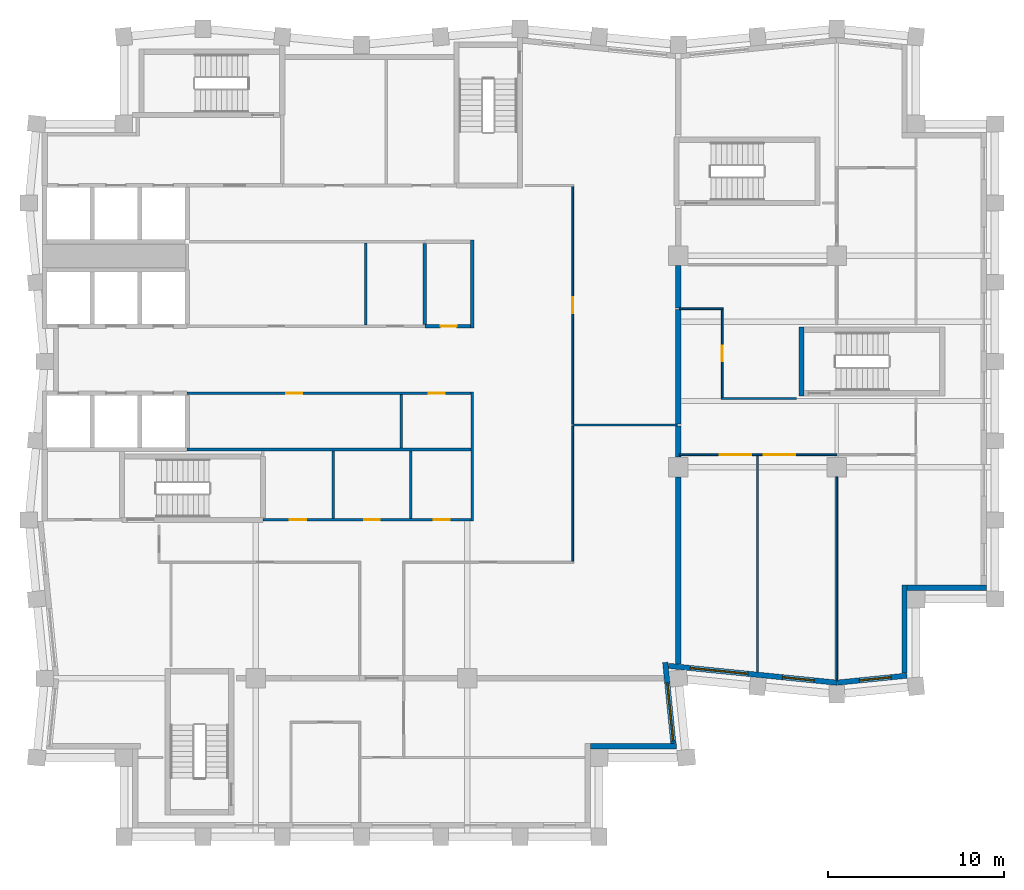
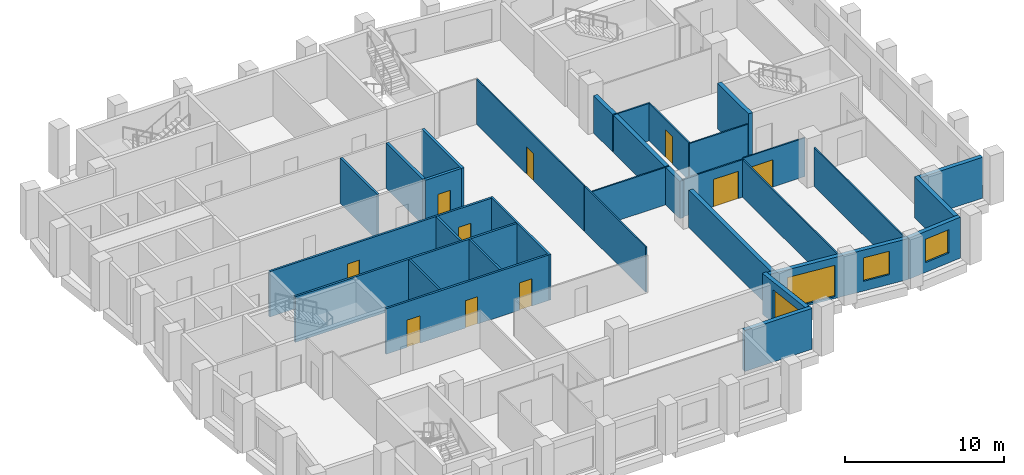
# One storey, part 4 of 8: 32 walls, 10 doors, 4 windows, 14 openings.
"""IFC4 building model written with IfcOpenShell, lengths in metres."""

from ifc_helpers import new_model, si_unit, direction, frame, frame_2d, origin, place, context, subcontext, project, spatial, rectangle, extrude, material, layer, layer_set, type_object, element, fill, save


model = new_model("IFC4")

# Units and contexts
model_context = context("Model", 3, precision=1e-05, world=origin(), true_north=direction((0.0, 1.0)))
body_context = subcontext(model_context, "Body", "Model", "MODEL_VIEW")
ifc_project = project(units=[si_unit("LENGTHUNIT", "METRE"), si_unit("AREAUNIT", "SQUARE_METRE"), si_unit("VOLUMEUNIT", "CUBIC_METRE"), si_unit("PLANEANGLEUNIT", "RADIAN"), si_unit("MASSUNIT", "GRAM", prefix="KILO")], contexts=[model_context])

# Site, building, storey
site_placement = place(None, origin())
site = spatial("IfcSite", under=ifc_project, at=site_placement, CompositionType="ELEMENT")
building_placement = place(site_placement, origin())
building = spatial("IfcBuilding", under=site, at=building_placement, Name="Brondeck Convention Tower", CompositionType="ELEMENT")
storey_placement = place(building_placement, frame((0.0, 0.0, 214.0)))
storey = spatial("IfcBuildingStorey", under=building, at=storey_placement, Name="L52", CompositionType="ELEMENT", Elevation=214.0)

# Walls
ifc_material_1 = material(Name="Concrete compartment wall C30/37", Category="concrete")
ifc_layer_1 = layer(ifc_material_1, 0.300048828125)
ifc_layer_set_1 = layer_set([ifc_layer_1], Name="Compartment wall 300")
wall_type_1 = type_object("IfcWallType", Name="Compartment wall 300", PredefinedType="PARTITIONING", material=ifc_layer_set_1)
wall_1_placement = place(storey_placement, frame((36.0, 27.823974609375, 0.0), z_axis=(0.0, 0.0, 1.0), x_axis=(0.0, 1.0, 0.0)))
element("IfcWall", 1, at=wall_1_placement, inside=storey, type_object=wall_type_1, Name="FLR-L52-W021", PredefinedType="PARTITIONING", context=body_context, shape_type="SweptSolid", body=[
    extrude(rectangle(XDim=10.62109375, YDim=0.300048828125, at=frame_2d((5.310546875, 0.0))), origin(), (0.0, 0.0, 1.0), 2.8798828125),
])
wall_2_placement = place(storey_placement, frame((36.0, 39.570068359375, 0.0), z_axis=(0.0, 0.0, 1.0), x_axis=(0.0, 1.0, 0.0)))
element("IfcWall", 2, at=wall_2_placement, inside=storey, type_object=wall_type_1, Name="FLR-L52-W035", PredefinedType="PARTITIONING", context=body_context, shape_type="SweptSolid", body=[
    extrude(rectangle(XDim=1.77197265625, YDim=0.300048828125, at=frame_2d((0.885986328125, 0.0))), origin(), (0.0, 0.0, 1.0), 2.8798828125),
])
wall_3_placement = place(storey_placement, frame((36.0, 41.44189453125, 0.0), z_axis=(0.0, 0.0, 1.0), x_axis=(0.0, 1.0, 0.0)))
element("IfcWall", 3, at=wall_3_placement, inside=storey, type_object=wall_type_1, Name="FLR-L52-W038", PredefinedType="PARTITIONING", context=body_context, shape_type="SweptSolid", body=[
    extrude(rectangle(XDim=6.508056640625, YDim=0.300048828125, at=frame_2d((3.25390625, 0.0))), origin(), (0.0, 0.0, 1.0), 2.8798828125),
])
wall_4_placement = place(storey_placement, frame((36.0, 48.050048828125, 0.0), z_axis=(0.0, 0.0, 1.0), x_axis=(0.0, 1.0, 0.0)))
element("IfcWall", 4, at=wall_4_placement, inside=storey, type_object=wall_type_1, Name="FLR-L52-W044", PredefinedType="PARTITIONING", context=body_context, shape_type="SweptSolid", body=[
    extrude(rectangle(XDim=2.39501953125, YDim=0.300048828125, at=frame_2d((1.197509765625, 0.0))), origin(), (0.0, 0.0, 1.0), 2.8798828125),
])

# Wall, openings, doors
ifc_material_2 = material(Name="Concrete C50/60", Category="concrete")
ifc_layer_2 = layer(ifc_material_2, 0.14990234375)
ifc_layer_set_2 = layer_set([ifc_layer_2], Name="Core beam-seat wall 150 Concrete C50/60")
wall_type_2 = type_object("IfcWallType", Name="Core beam-seat wall 150 Concrete C50/60", PredefinedType="SHEAR", material=ifc_layer_set_2)
wall_5_placement = place(storey_placement, frame((12.39990234375, 36.0, 0.0), z_axis=(0.0, 0.0, 1.0), x_axis=(1.0, 0.0, 0.0)))
wall_5 = element("IfcWall", 5, at=wall_5_placement, inside=storey, type_object=wall_type_2, Name="L52 core wall", PredefinedType="SHEAR", context=body_context, shape_type="SweptSolid", body=[
    extrude(rectangle(XDim=11.8251953125, YDim=0.14990234375, at=frame_2d((5.91259765625, 0.0))), origin(), (0.0, 0.0, 1.0), 3.5),
])
opening_1_placement = place(wall_5_placement, frame((1.52490234375, 0.0, 0.0)))
opening_1 = element("IfcOpeningElement", 6, at=opening_1_placement, cuts=wall_5, Name="Opening C29-03", PredefinedType="OPENING", context=body_context, shape_type="SweptSolid", body=[
    extrude(rectangle(XDim=0.949951171875, YDim=2.10009765625, at=frame_2d((0.47509765625, 1.050048828125))), frame((0.0, 0.0849609375, 0.0), z_axis=(0.0, -1.0, 0.0), x_axis=(1.0, 0.0, 0.0)), (0.0, 0.0, 1.0), 0.169921875),
])
opening_2_placement = place(wall_5_placement, frame((5.75, 0.0, 0.0)))
opening_2 = element("IfcOpeningElement", 7, at=opening_2_placement, cuts=wall_5, Name="Opening C29-04", PredefinedType="OPENING", context=body_context, shape_type="SweptSolid", body=[
    extrude(rectangle(XDim=0.89990234375, YDim=2.10009765625, at=frame_2d((0.449951171875, 1.050048828125))), frame((0.0, 0.0849609375, 0.0), z_axis=(0.0, -1.0, 0.0), x_axis=(1.0, 0.0, 0.0)), (0.0, 0.0, 1.0), 0.169921875),
])
opening_3_placement = place(wall_5_placement, frame((9.699951171875, 0.0, 0.0)))
opening_3 = element("IfcOpeningElement", 8, at=opening_3_placement, cuts=wall_5, Name="Opening C29-05", PredefinedType="OPENING", context=body_context, shape_type="SweptSolid", body=[
    extrude(rectangle(XDim=0.89990234375, YDim=2.10009765625, at=frame_2d((0.449951171875, 1.050048828125))), frame((0.0, 0.0849609375, 0.0), z_axis=(0.0, -1.0, 0.0), x_axis=(1.0, 0.0, 0.0)), (0.0, 0.0, 1.0), 0.169921875),
])
ifc_material_3 = material(Name="Steel fire door", Category="steel")
door_type_1 = type_object("IfcDoorType", Name="Room door 900x2100 EI 60", OperationType="NOTDEFINED", PredefinedType="DOOR", material=ifc_material_3)
door_1_placement = place(opening_2_placement, origin())
door_1 = element("IfcDoor", 9, at=door_1_placement, inside=storey, type_object=door_type_1, Name="L52 Room door FR-2", OperationType="SINGLE_SWING_LEFT", OverallHeight=2.10009765625, OverallWidth=0.89990234375, PredefinedType="DOOR", context=body_context, shape_type="SweptSolid", body=[
    extrude(rectangle(XDim=0.89990234375, YDim=2.10009765625, at=frame_2d((0.449951171875, 1.050048828125))), frame((0.0, 0.02490234375, 0.0), z_axis=(0.0, -1.0, 0.0), x_axis=(1.0, 0.0, 0.0)), (0.0, 0.0, 1.0), 0.050048828125),
])
fill(opening_2, door_1)
door_2_placement = place(opening_3_placement, origin())
door_2 = element("IfcDoor", 10, at=door_2_placement, inside=storey, type_object=door_type_1, Name="L52 Room door FR-3", OperationType="SINGLE_SWING_RIGHT", OverallHeight=2.10009765625, OverallWidth=0.89990234375, PredefinedType="DOOR", context=body_context, shape_type="SweptSolid", body=[
    extrude(rectangle(XDim=0.89990234375, YDim=2.10009765625, at=frame_2d((0.449951171875, 1.050048828125))), frame((0.0, 0.02490234375, 0.0), z_axis=(0.0, -1.0, 0.0), x_axis=(1.0, 0.0, 0.0)), (0.0, 0.0, 1.0), 0.050048828125),
])
fill(opening_3, door_2)
door_type_2 = type_object("IfcDoorType", Name="Room door 950x2100 EI 60", OperationType="NOTDEFINED", PredefinedType="DOOR", material=ifc_material_3)
door_3_placement = place(opening_1_placement, origin())
door_3 = element("IfcDoor", 11, at=door_3_placement, inside=storey, type_object=door_type_2, Name="L52 Room door FR-1", OperationType="SINGLE_SWING_RIGHT", OverallHeight=2.10009765625, OverallWidth=0.949951171875, PredefinedType="DOOR", context=body_context, shape_type="SweptSolid", body=[
    extrude(rectangle(XDim=0.949951171875, YDim=2.10009765625, at=frame_2d((0.47509765625, 1.050048828125))), frame((0.0, 0.02490234375, 0.0), z_axis=(0.0, -1.0, 0.0), x_axis=(1.0, 0.0, 0.0)), (0.0, 0.0, 1.0), 0.050048828125),
])
fill(opening_1, door_3)

# Walls
ifc_layer_3 = layer(ifc_material_2, 0.199951171875)
ifc_layer_set_3 = layer_set([ifc_layer_3], Name="Core beam-seat wall 200 Concrete C50/60")
wall_type_3 = type_object("IfcWallType", Name="Core beam-seat wall 200 Concrete C50/60", PredefinedType="SHEAR", material=ifc_layer_set_3)
wall_6_placement = place(storey_placement, frame((24.300048828125, 46.89990234375, 0.0), z_axis=(0.0, 0.0, 1.0), x_axis=(0.0, 1.0, 0.0)))
element("IfcWall", 12, at=wall_6_placement, inside=storey, type_object=wall_type_3, Name="L52 core wall", PredefinedType="SHEAR", context=body_context, shape_type="SweptSolid", body=[
    extrude(rectangle(XDim=5.0, YDim=0.199951171875, at=frame_2d((2.5, 0.0))), origin(), (0.0, 0.0, 1.0), 3.5),
])
ifc_material_4 = material(Name="Fire-rated gypsum board partition")
ifc_layer_4 = layer(ifc_material_4, 0.14990234375)
ifc_layer_set_4 = layer_set([ifc_layer_4], Name="Core partition 150 EI 60")
wall_type_4 = type_object("IfcWallType", Name="Core partition 150 EI 60", PredefinedType="PARTITIONING", material=ifc_layer_set_4)
wall_7_placement = place(storey_placement, frame((8.10009765625, 40.0, 0.0), z_axis=(0.0, 0.0, 1.0), x_axis=(1.0, 0.0, 0.0)))
element("IfcWall", 13, at=wall_7_placement, inside=storey, type_object=wall_type_4, Name="L52 core wall", PredefinedType="PARTITIONING", context=body_context, shape_type="SweptSolid", body=[
    extrude(rectangle(XDim=16.125, YDim=0.14990234375, at=frame_2d((8.0625, 0.0))), origin(), (0.0, 0.0, 1.0), 3.5),
])

# Wall, openings, doors
wall_8_placement = place(storey_placement, frame((8.10009765625, 43.199951171875, 0.0), z_axis=(0.0, 0.0, 1.0), x_axis=(1.0, 0.0, 0.0)))
wall_8 = element("IfcWall", 14, at=wall_8_placement, inside=storey, type_object=wall_type_4, Name="L52 core wall", PredefinedType="PARTITIONING", context=body_context, shape_type="SweptSolid", body=[
    extrude(rectangle(XDim=16.125, YDim=0.14990234375, at=frame_2d((8.0625, 0.0))), origin(), (0.0, 0.0, 1.0), 3.5),
])
opening_4_placement = place(wall_8_placement, frame((5.625, 0.0, 0.0)))
opening_4 = element("IfcOpeningElement", 15, at=opening_4_placement, cuts=wall_8, Name="Opening C29-09", PredefinedType="OPENING", context=body_context, shape_type="SweptSolid", body=[
    extrude(rectangle(XDim=0.89990234375, YDim=2.10009765625, at=frame_2d((0.449951171875, 1.050048828125))), frame((0.0, 0.0849609375, 0.0), z_axis=(0.0, -1.0, 0.0), x_axis=(1.0, 0.0, 0.0)), (0.0, 0.0, 1.0), 0.169921875),
])
opening_5_placement = place(wall_8_placement, frame((13.72509765625, 0.0, 0.0)))
opening_5 = element("IfcOpeningElement", 16, at=opening_5_placement, cuts=wall_8, Name="Opening C29-10", PredefinedType="OPENING", context=body_context, shape_type="SweptSolid", body=[
    extrude(rectangle(XDim=0.89990234375, YDim=2.10009765625, at=frame_2d((0.449951171875, 1.050048828125))), frame((0.0, 0.0849609375, 0.0), z_axis=(0.0, -1.0, 0.0), x_axis=(1.0, 0.0, 0.0)), (0.0, 0.0, 1.0), 0.169921875),
])
door_4_placement = place(opening_4_placement, origin())
door_4 = element("IfcDoor", 17, at=door_4_placement, inside=storey, type_object=door_type_1, Name="L52 Room door FZ-S-8.1-1", OperationType="SINGLE_SWING_RIGHT", OverallHeight=2.10009765625, OverallWidth=0.89990234375, PredefinedType="DOOR", context=body_context, shape_type="SweptSolid", body=[
    extrude(rectangle(XDim=0.89990234375, YDim=2.10009765625, at=frame_2d((0.449951171875, 1.050048828125))), frame((0.0, 0.02490234375, 0.0), z_axis=(0.0, -1.0, 0.0), x_axis=(1.0, 0.0, 0.0)), (0.0, 0.0, 1.0), 0.050048828125),
])
fill(opening_4, door_4)
door_5_placement = place(opening_5_placement, origin())
door_5 = element("IfcDoor", 18, at=door_5_placement, inside=storey, type_object=door_type_1, Name="L52 Room door FZ-S-8.1-2", OperationType="SINGLE_SWING_LEFT", OverallHeight=2.10009765625, OverallWidth=0.89990234375, PredefinedType="DOOR", context=body_context, shape_type="SweptSolid", body=[
    extrude(rectangle(XDim=0.89990234375, YDim=2.10009765625, at=frame_2d((0.449951171875, 1.050048828125))), frame((0.0, 0.02490234375, 0.0), z_axis=(0.0, -1.0, 0.0), x_axis=(1.0, 0.0, 0.0)), (0.0, 0.0, 1.0), 0.050048828125),
])
fill(opening_5, door_5)

# Walls
wall_9_placement = place(storey_placement, frame((16.39990234375, 36.074951171875, 0.0), z_axis=(0.0, 0.0, 1.0), x_axis=(0.0, 1.0, 0.0)))
element("IfcWall", 19, at=wall_9_placement, inside=storey, type_object=wall_type_4, Name="L52 core wall", PredefinedType="PARTITIONING", context=body_context, shape_type="SweptSolid", body=[
    extrude(rectangle(XDim=3.85009765625, YDim=0.14990234375, at=frame_2d((1.925048828125, 0.0))), origin(), (0.0, 0.0, 1.0), 3.5),
])
wall_10_placement = place(storey_placement, frame((18.25, 47.074951171875, 0.0), z_axis=(0.0, 0.0, 1.0), x_axis=(0.0, 1.0, 0.0)))
element("IfcWall", 20, at=wall_10_placement, inside=storey, type_object=wall_type_4, Name="L52 core wall", PredefinedType="PARTITIONING", context=body_context, shape_type="SweptSolid", body=[
    extrude(rectangle(XDim=4.650146484375, YDim=0.14990234375, at=frame_2d((2.3251953125, 0.0))), origin(), (0.0, 0.0, 1.0), 3.5),
])
wall_11_placement = place(storey_placement, frame((20.25, 40.074951171875, 0.0), z_axis=(0.0, 0.0, 1.0), x_axis=(0.0, 1.0, 0.0)))
element("IfcWall", 21, at=wall_11_placement, inside=storey, type_object=wall_type_4, Name="L52 core wall", PredefinedType="PARTITIONING", context=body_context, shape_type="SweptSolid", body=[
    extrude(rectangle(XDim=3.050048828125, YDim=0.14990234375, at=frame_2d((1.52490234375, 0.0))), origin(), (0.0, 0.0, 1.0), 3.5),
])
wall_12_placement = place(storey_placement, frame((20.800048828125, 36.074951171875, 0.0), z_axis=(0.0, 0.0, 1.0), x_axis=(0.0, 1.0, 0.0)))
element("IfcWall", 22, at=wall_12_placement, inside=storey, type_object=wall_type_4, Name="L52 core wall", PredefinedType="PARTITIONING", context=body_context, shape_type="SweptSolid", body=[
    extrude(rectangle(XDim=3.85009765625, YDim=0.14990234375, at=frame_2d((1.925048828125, 0.0))), origin(), (0.0, 0.0, 1.0), 3.5),
])
wall_13_placement = place(storey_placement, frame((24.300048828125, 35.925048828125, 0.0), z_axis=(0.0, 0.0, 1.0), x_axis=(0.0, 1.0, 0.0)))
element("IfcWall", 23, at=wall_13_placement, inside=storey, type_object=wall_type_4, Name="L52 core wall", PredefinedType="PARTITIONING", context=body_context, shape_type="SweptSolid", body=[
    extrude(rectangle(XDim=7.349853515625, YDim=0.14990234375, at=frame_2d((3.6748046875, 0.0))), origin(), (0.0, 0.0, 1.0), 3.5),
])
ifc_material_5 = material(Name="Precast concrete C50/60 bronze finish", Category="concrete")
ifc_layer_5 = layer(ifc_material_5, 0.070068359375, Name="Bronze precast facing")
ifc_material_6 = material(Name="Mineral wool")
ifc_layer_6 = layer(ifc_material_6, 0.159912109375, Name="Insulation")
ifc_material_7 = material(Name="Concrete C35/45", Category="concrete")
ifc_layer_7 = layer(ifc_material_7, 0.070068359375, Name="Backing")
ifc_layer_set_5 = layer_set([ifc_layer_5, ifc_layer_6, ifc_layer_7], Name="External infill wall, precast concrete C50/60 bronze facing")
wall_type_5 = type_object("IfcWallType", Name="External infill wall, precast concrete C50/60 bronze facing", PredefinedType="SOLIDWALL", material=ifc_layer_set_5)
wall_14_placement = place(storey_placement, frame((35.8974609375, 23.14990234375, 0.0), z_axis=(0.0, 0.0, 1.0), x_axis=(-1.0, 0.0, 0.0)))
element("IfcWall", 24, at=wall_14_placement, inside=storey, type_object=wall_type_5, Name="ENV-EW-L52-P2-NC-SEB18-02", PredefinedType="SOLIDWALL", context=body_context, shape_type="SweptSolid", body=[
    extrude(rectangle(XDim=4.8974609375, YDim=0.300048828125, at=frame_2d((2.44873046875, 0.0))), origin(), (0.0, 0.0, 1.0), 3.14990234375),
])

# Wall, opening, window
wall_15_placement = place(storey_placement, frame((35.255859375, 27.908203125, 0.0), z_axis=(0.0, 0.0, 1.0), x_axis=(0.099535070904, -0.995034054523, 0.0)))
wall_15 = element("IfcWall", 25, at=wall_15_placement, inside=storey, type_object=wall_type_5, Name="ENV-EW-L52-P2-B-E-00", PredefinedType="SOLIDWALL", context=body_context, shape_type="SweptSolid", body=[
    extrude(rectangle(XDim=4.6259765625, YDim=0.300048828125, at=frame_2d((2.31298828125, 0.0))), origin(), (0.0, 0.0, 1.0), 3.14990234375),
])
opening_6_placement = place(wall_15_placement, frame((1.176025390625, 0.0, 0.14990234375)))
opening_6 = element("IfcOpeningElement", 26, at=opening_6_placement, cuts=wall_15, Name="Opening W9", PredefinedType="OPENING", context=body_context, shape_type="SweptSolid", body=[
    extrude(rectangle(XDim=3.300048828125, YDim=2.39990234375, at=frame_2d((1.64990234375, 1.199951171875))), frame((0.0, 0.159912109375, 0.0), z_axis=(0.0, -1.0, 0.0), x_axis=(1.0, 0.0, 0.0)), (0.0, 0.0, 1.0), 0.320068359375),
])
ifc_material_8 = material(Name="Bronze tinted double glazing", Category="glass")
window_type_1 = type_object("IfcWindowType", Name="Glazed flute window, bronze tinted", PartitioningType="SINGLE_PANEL", PredefinedType="WINDOW", material=ifc_material_8)
window_1_placement = place(opening_6_placement, origin())
window_1 = element("IfcWindow", 27, at=window_1_placement, inside=storey, type_object=window_type_1, Name="ENV-WN-L52-P2-B-E-00", OverallHeight=2.39990234375, OverallWidth=3.300048828125, PartitioningType="SINGLE_PANEL", PredefinedType="WINDOW", context=body_context, shape_type="SweptSolid", body=[
    extrude(rectangle(XDim=3.300048828125, YDim=2.39990234375, at=frame_2d((1.64990234375, 1.199951171875))), frame((0.0, 0.030029296875, 0.0), z_axis=(0.0, -1.0, 0.0), x_axis=(1.0, 0.0, 0.0)), (0.0, 0.0, 1.0), 0.06005859375),
])
fill(opening_6, window_1)

# Wall, openings, windows
wall_16_placement = place(storey_placement, frame((45.014892578125, 26.751708984375, 0.0), z_axis=(0.0, 0.0, 1.0), x_axis=(-0.9950379439, 0.099496181828, 0.0)))
wall_16 = element("IfcWall", 28, at=wall_16_placement, inside=storey, type_object=wall_type_5, Name="ENV-EW-L52-P2-A-S-00", PredefinedType="SOLIDWALL", context=body_context, shape_type="SweptSolid", body=[
    extrude(rectangle(XDim=9.621337890625, YDim=0.300048828125, at=frame_2d((4.810546875, 0.0))), origin(), (0.0, 0.0, 1.0), 3.14990234375),
])
opening_7_placement = place(wall_16_placement, frame((1.311279296875, 0.0, 0.75)))
opening_7 = element("IfcOpeningElement", 29, at=opening_7_placement, cuts=wall_16, Name="Opening W10", PredefinedType="OPENING", context=body_context, shape_type="SweptSolid", body=[
    extrude(rectangle(XDim=1.800048828125, YDim=1.800048828125, at=frame_2d((0.89990234375, 0.89990234375))), frame((0.0, 0.159912109375, 0.0), z_axis=(0.0, -1.0, 0.0), x_axis=(1.0, 0.0, 0.0)), (0.0, 0.0, 1.0), 0.320068359375),
])
opening_8_placement = place(wall_16_placement, frame((5.08349609375, 0.0, 0.14990234375)))
opening_8 = element("IfcOpeningElement", 30, at=opening_8_placement, cuts=wall_16, Name="Opening W9", PredefinedType="OPENING", context=body_context, shape_type="SweptSolid", body=[
    extrude(rectangle(XDim=3.300048828125, YDim=2.39990234375, at=frame_2d((1.64990234375, 1.199951171875))), frame((0.0, 0.159912109375, 0.0), z_axis=(0.0, -1.0, 0.0), x_axis=(1.0, 0.0, 0.0)), (0.0, 0.0, 1.0), 0.320068359375),
])
window_2_placement = place(opening_8_placement, origin())
window_2 = element("IfcWindow", 31, at=window_2_placement, inside=storey, type_object=window_type_1, Name="ENV-WN-L52-P2-A-S-00", OverallHeight=2.39990234375, OverallWidth=3.300048828125, PartitioningType="SINGLE_PANEL", PredefinedType="WINDOW", context=body_context, shape_type="SweptSolid", body=[
    extrude(rectangle(XDim=3.300048828125, YDim=2.39990234375, at=frame_2d((1.64990234375, 1.199951171875))), frame((0.0, 0.030029296875, 0.0), z_axis=(0.0, -1.0, 0.0), x_axis=(1.0, 0.0, 0.0)), (0.0, 0.0, 1.0), 0.06005859375),
])
fill(opening_8, window_2)
window_type_2 = type_object("IfcWindowType", Name="Punched window, bronze tinted", PartitioningType="SINGLE_PANEL", PredefinedType="WINDOW", material=ifc_material_8)
window_3_placement = place(opening_7_placement, origin())
window_3 = element("IfcWindow", 32, at=window_3_placement, inside=storey, type_object=window_type_2, Name="ENV-WN-L52-P2-A-S-01", OverallHeight=1.800048828125, OverallWidth=1.800048828125, PartitioningType="SINGLE_PANEL", PredefinedType="WINDOW", context=body_context, shape_type="SweptSolid", body=[
    extrude(rectangle(XDim=1.800048828125, YDim=1.800048828125, at=frame_2d((0.89990234375, 0.89990234375))), frame((0.0, 0.030029296875, 0.0), z_axis=(0.0, -1.0, 0.0), x_axis=(1.0, 0.0, 0.0)), (0.0, 0.0, 1.0), 0.06005859375),
])
fill(opening_7, window_3)

# Wall, opening, window
wall_17_placement = place(storey_placement, frame((48.985107421875, 27.151611328125, 0.0), z_axis=(0.0, 0.0, 1.0), x_axis=(-0.995037798293, -0.099497638, 0.0)))
wall_17 = element("IfcWall", 33, at=wall_17_placement, inside=storey, type_object=wall_type_5, Name="ENV-EW-L52-P2-A-S-02", PredefinedType="SOLIDWALL", context=body_context, shape_type="SweptSolid", body=[
    extrude(rectangle(XDim=3.97509765625, YDim=0.300048828125, at=frame_2d((1.987548828125, 0.0))), origin(), (0.0, 0.0, 1.0), 3.14990234375),
])
opening_9_placement = place(wall_17_placement, frame((0.90869140625, 0.0, 0.75)))
opening_9 = element("IfcOpeningElement", 34, at=opening_9_placement, cuts=wall_17, Name="Opening W10", PredefinedType="OPENING", context=body_context, shape_type="SweptSolid", body=[
    extrude(rectangle(XDim=1.800048828125, YDim=1.800048828125, at=frame_2d((0.89990234375, 0.89990234375))), frame((0.0, 0.159912109375, 0.0), z_axis=(0.0, -1.0, 0.0), x_axis=(1.0, 0.0, 0.0)), (0.0, 0.0, 1.0), 0.320068359375),
])
window_4_placement = place(opening_9_placement, origin())
window_4 = element("IfcWindow", 35, at=window_4_placement, inside=storey, type_object=window_type_2, Name="ENV-WN-L52-P2-A-S-02", OverallHeight=1.800048828125, OverallWidth=1.800048828125, PartitioningType="SINGLE_PANEL", PredefinedType="WINDOW", context=body_context, shape_type="SweptSolid", body=[
    extrude(rectangle(XDim=1.800048828125, YDim=1.800048828125, at=frame_2d((0.89990234375, 0.89990234375))), frame((0.0, 0.030029296875, 0.0), z_axis=(0.0, -1.0, 0.0), x_axis=(1.0, 0.0, 0.0)), (0.0, 0.0, 1.0), 0.06005859375),
])
fill(opening_9, window_4)

# Walls
wall_18_placement = place(storey_placement, frame((48.85009765625, 32.300048828125, 0.0), z_axis=(0.0, 0.0, 1.0), x_axis=(0.0, -1.0, 0.0)))
element("IfcWall", 36, at=wall_18_placement, inside=storey, type_object=wall_type_5, Name="ENV-EW-L52-P2-NC-SEA54-01", PredefinedType="SOLIDWALL", context=body_context, shape_type="SweptSolid", body=[
    extrude(rectangle(XDim=5.009765625, YDim=0.300048828125, at=frame_2d((2.5048828125, 0.0))), origin(), (0.0, 0.0, 1.0), 3.14990234375),
])
wall_19_placement = place(storey_placement, frame((53.5, 32.14990234375, 0.0), z_axis=(0.0, 0.0, 1.0), x_axis=(-1.0, 0.0, 0.0)))
element("IfcWall", 37, at=wall_19_placement, inside=storey, type_object=wall_type_5, Name="ENV-EW-L52-P2-NC-SEA54-02", PredefinedType="SOLIDWALL", context=body_context, shape_type="SweptSolid", body=[
    extrude(rectangle(XDim=4.501953125, YDim=0.300048828125, at=frame_2d((2.2509765625, 0.0))), origin(), (0.0, 0.0, 1.0), 3.14990234375),
])

# Wall, opening, door
ifc_layer_8 = layer(ifc_material_4, 0.199951171875)
ifc_layer_set_6 = layer_set([ifc_layer_8], Name="Riser wall 200 EI 120")
wall_type_6 = type_object("IfcWallType", Name="Riser wall 200 EI 120", PredefinedType="PARTITIONING", material=ifc_layer_set_6)
wall_20_placement = place(storey_placement, frame((21.60009765625, 47.0, 0.0), z_axis=(0.0, 0.0, 1.0), x_axis=(1.0, 0.0, 0.0)))
wall_20 = element("IfcWall", 38, at=wall_20_placement, inside=storey, type_object=wall_type_6, Name="L52 core wall", PredefinedType="PARTITIONING", context=body_context, shape_type="SweptSolid", body=[
    extrude(rectangle(XDim=2.599853515625, YDim=0.199951171875, at=frame_2d((1.2998046875, 0.0))), origin(), (0.0, 0.0, 1.0), 3.5),
])
opening_10_placement = place(wall_20_placement, frame((0.89990234375, 0.0, 0.0)))
opening_10 = element("IfcOpeningElement", 39, at=opening_10_placement, cuts=wall_20, Name="Opening C29-02", PredefinedType="OPENING", context=body_context, shape_type="SweptSolid", body=[
    extrude(rectangle(XDim=0.89990234375, YDim=2.10009765625, at=frame_2d((0.449951171875, 1.050048828125))), frame((0.0, 0.10986328125, 0.0), z_axis=(0.0, -1.0, 0.0), x_axis=(1.0, 0.0, 0.0)), (0.0, 0.0, 1.0), 0.219970703125),
])
door_type_3 = type_object("IfcDoorType", Name="Riser door 900x2100 EI 120", OperationType="NOTDEFINED", PredefinedType="DOOR", material=ifc_material_3)
door_6_placement = place(opening_10_placement, origin())
door_6 = element("IfcDoor", 40, at=door_6_placement, inside=storey, type_object=door_type_3, Name="L52 Riser door EN-1", OperationType="SINGLE_SWING_LEFT", OverallHeight=2.10009765625, OverallWidth=0.89990234375, PredefinedType="DOOR", context=body_context, shape_type="SweptSolid", body=[
    extrude(rectangle(XDim=0.89990234375, YDim=2.10009765625, at=frame_2d((0.449951171875, 1.050048828125))), frame((0.0, 0.02490234375, 0.0), z_axis=(0.0, -1.0, 0.0), x_axis=(1.0, 0.0, 0.0)), (0.0, 0.0, 1.0), 0.050048828125),
])
fill(opening_10, door_6)

# Walls
wall_21_placement = place(storey_placement, frame((21.60009765625, 47.10009765625, 0.0), z_axis=(0.0, 0.0, 1.0), x_axis=(0.0, 1.0, 0.0)))
element("IfcWall", 41, at=wall_21_placement, inside=storey, type_object=wall_type_6, Name="L52 core wall", PredefinedType="PARTITIONING", context=body_context, shape_type="SweptSolid", body=[
    extrude(rectangle(XDim=4.599853515625, YDim=0.199951171875, at=frame_2d((2.2998046875, 0.0))), origin(), (0.0, 0.0, 1.0), 3.5),
])
ifc_material_9 = material(Name="Gypsum board partition on steel studs", Category="steel")
ifc_layer_9 = layer(ifc_material_9, 0.10009765625)
ifc_layer_set_7 = layer_set([ifc_layer_9], Name="Room partition 100")
wall_type_7 = type_object("IfcWallType", Name="Room partition 100", PredefinedType="PARTITIONING", material=ifc_layer_set_7)
wall_22_placement = place(storey_placement, frame((45.0, 38.445068359375, 0.0), z_axis=(0.0, 0.0, 1.0), x_axis=(0.0, -1.0, 0.0)))
element("IfcWall", 42, at=wall_22_placement, inside=storey, type_object=wall_type_7, Name="FLR-L52-W030", PredefinedType="PARTITIONING", context=body_context, shape_type="SweptSolid", body=[
    extrude(rectangle(XDim=11.52099609375, YDim=0.10009765625, at=frame_2d((5.760498046875, 0.0))), origin(), (0.0, 0.0, 1.0), 2.97998046875),
])
wall_23_placement = place(storey_placement, frame((40.5, 39.64990234375, 0.0), z_axis=(0.0, 0.0, 1.0), x_axis=(0.0, -1.0, 0.0)))
element("IfcWall", 43, at=wall_23_placement, inside=storey, type_object=wall_type_7, Name="FLR-L52-W031", PredefinedType="PARTITIONING", context=body_context, shape_type="SweptSolid", body=[
    extrude(rectangle(XDim=12.27587890625, YDim=0.10009765625, at=frame_2d((6.137939453125, 0.0))), origin(), (0.0, 0.0, 1.0), 2.8798828125),
])

# Wall, opening, door
wall_24_placement = place(storey_placement, frame((40.5, 39.699951171875, 0.0), z_axis=(0.0, 0.0, 1.0), x_axis=(-1.0, 0.0, 0.0)))
wall_24 = element("IfcWall", 44, at=wall_24_placement, inside=storey, type_object=wall_type_7, Name="FLR-L52-W032", PredefinedType="PARTITIONING", context=body_context, shape_type="SweptSolid", body=[
    extrude(rectangle(XDim=4.449951171875, YDim=0.10009765625, at=frame_2d((2.22509765625, 0.0))), origin(), (0.0, 0.0, 1.0), 2.8798828125),
])
opening_11_placement = place(wall_24_placement, frame((0.35400390625, 0.0, 0.0)))
opening_11 = element("IfcOpeningElement", 45, at=opening_11_placement, cuts=wall_24, Name="Opening OF-L-004", PredefinedType="OPENING", context=body_context, shape_type="SweptSolid", body=[
    extrude(rectangle(XDim=1.800048828125, YDim=2.10009765625, at=frame_2d((0.89990234375, 1.050048828125))), frame((0.0, 0.06005859375, 0.0), z_axis=(0.0, -1.0, 0.0), x_axis=(1.0, 0.0, 0.0)), (0.0, 0.0, 1.0), 0.1201171875),
])
ifc_material_10 = material(Name="Glazed timber double door", Category="wood")
door_type_4 = type_object("IfcDoorType", Name="Double door 1800", OperationType="DOUBLE_DOOR_SINGLE_SWING", PredefinedType="DOOR", material=ifc_material_10)
door_7_placement = place(opening_11_placement, origin())
door_7 = element("IfcDoor", 46, at=door_7_placement, inside=storey, type_object=door_type_4, Name="Door OF-L-004", OperationType="DOUBLE_DOOR_SINGLE_SWING", OverallHeight=2.10009765625, OverallWidth=1.800048828125, PredefinedType="DOOR", context=body_context, shape_type="SweptSolid", body=[
    extrude(rectangle(XDim=1.800048828125, YDim=2.10009765625, at=frame_2d((0.89990234375, 1.050048828125))), frame((0.0, 0.02490234375, 0.0), z_axis=(0.0, -1.0, 0.0), x_axis=(1.0, 0.0, 0.0)), (0.0, 0.0, 1.0), 0.050048828125),
])
fill(opening_11, door_7)

wall_25_placement = place(storey_placement, frame((45.0, 39.699951171875, 0.0), z_axis=(0.0, 0.0, 1.0), x_axis=(-1.0, 0.0, 0.0)))
wall_25 = element("IfcWall", 47, at=wall_25_placement, inside=storey, type_object=wall_type_7, Name="FLR-L52-W033", PredefinedType="PARTITIONING", context=body_context, shape_type="SweptSolid", body=[
    extrude(rectangle(XDim=4.5, YDim=0.10009765625, at=frame_2d((2.25, 0.0))), origin(), (0.0, 0.0, 1.0), 2.97998046875),
])
opening_12_placement = place(wall_25_placement, frame((2.345947265625, 0.0, 0.0)))
opening_12 = element("IfcOpeningElement", 48, at=opening_12_placement, cuts=wall_25, Name="Opening OF-L-005", PredefinedType="OPENING", context=body_context, shape_type="SweptSolid", body=[
    extrude(rectangle(XDim=1.800048828125, YDim=2.10009765625, at=frame_2d((0.89990234375, 1.050048828125))), frame((0.0, 0.06005859375, 0.0), z_axis=(0.0, -1.0, 0.0), x_axis=(1.0, 0.0, 0.0)), (0.0, 0.0, 1.0), 0.1201171875),
])
door_8_placement = place(opening_12_placement, origin())
door_8 = element("IfcDoor", 49, at=door_8_placement, inside=storey, type_object=door_type_4, Name="Door OF-L-005", OperationType="DOUBLE_DOOR_SINGLE_SWING", OverallHeight=2.10009765625, OverallWidth=1.800048828125, PredefinedType="DOOR", context=body_context, shape_type="SweptSolid", body=[
    extrude(rectangle(XDim=1.800048828125, YDim=2.10009765625, at=frame_2d((0.89990234375, 1.050048828125))), frame((0.0, 0.02490234375, 0.0), z_axis=(0.0, -1.0, 0.0), x_axis=(1.0, 0.0, 0.0)), (0.0, 0.0, 1.0), 0.050048828125),
])
fill(opening_12, door_8)

# Walls
wall_26_placement = place(storey_placement, frame((30.0, 41.342041015625, 0.0), z_axis=(0.0, 0.0, 1.0), x_axis=(0.0, -1.0, 0.0)))
element("IfcWall", 50, at=wall_26_placement, inside=storey, type_object=wall_type_7, Name="FLR-L52-W036", PredefinedType="PARTITIONING", context=body_context, shape_type="SweptSolid", body=[
    extrude(rectangle(XDim=7.692138671875, YDim=0.10009765625, at=frame_2d((3.84619140625, 0.0))), origin(), (0.0, 0.0, 1.0), 3.47998046875),
])
wall_27_placement = place(storey_placement, frame((30.050048828125, 41.39208984375, 0.0), z_axis=(0.0, 0.0, 1.0), x_axis=(1.0, 0.0, 0.0)))
element("IfcWall", 51, at=wall_27_placement, inside=storey, type_object=wall_type_7, Name="FLR-L52-W037", PredefinedType="PARTITIONING", context=body_context, shape_type="SweptSolid", body=[
    extrude(rectangle(XDim=5.89990234375, YDim=0.10009765625, at=frame_2d((2.949951171875, 0.0))), origin(), (0.0, 0.0, 1.0), 2.8798828125),
])
wall_28_placement = place(storey_placement, frame((38.449951171875, 42.89990234375, 0.0), z_axis=(0.0, 0.0, 1.0), x_axis=(1.0, 0.0, 0.0)))
element("IfcWall", 52, at=wall_28_placement, inside=storey, type_object=wall_type_7, Name="FLR-L52-W039", PredefinedType="PARTITIONING", context=body_context, shape_type="SweptSolid", body=[
    extrude(rectangle(XDim=4.25, YDim=0.10009765625, at=frame_2d((2.125, 0.0))), origin(), (0.0, 0.0, 1.0), 2.8798828125),
])

# Wall, opening, door
wall_29_placement = place(storey_placement, frame((38.5, 47.949951171875, 0.0), z_axis=(0.0, 0.0, 1.0), x_axis=(0.0, -1.0, 0.0)))
wall_29 = element("IfcWall", 53, at=wall_29_placement, inside=storey, type_object=wall_type_7, Name="FLR-L52-W042", PredefinedType="PARTITIONING", context=body_context, shape_type="SweptSolid", body=[
    extrude(rectangle(XDim=5.0, YDim=0.10009765625, at=frame_2d((2.5, 0.0))), origin(), (0.0, 0.0, 1.0), 2.8798828125),
])
opening_13_placement = place(wall_29_placement, frame((2.050048828125, 0.0, 0.0)))
opening_13 = element("IfcOpeningElement", 54, at=opening_13_placement, cuts=wall_29, Name="Opening OF-L-001", PredefinedType="OPENING", context=body_context, shape_type="SweptSolid", body=[
    extrude(rectangle(XDim=0.89990234375, YDim=2.10009765625, at=frame_2d((0.449951171875, 1.050048828125))), frame((0.0, 0.06005859375, 0.0), z_axis=(0.0, -1.0, 0.0), x_axis=(1.0, 0.0, 0.0)), (0.0, 0.0, 1.0), 0.1201171875),
])
ifc_material_11 = material(Name="Solid timber door leaf", Category="wood")
door_type_5 = type_object("IfcDoorType", Name="Single door 900", OperationType="NOTDEFINED", PredefinedType="DOOR", material=ifc_material_11)
door_9_placement = place(opening_13_placement, origin())
door_9 = element("IfcDoor", 55, at=door_9_placement, inside=storey, type_object=door_type_5, Name="Door OF-L-001", OperationType="SINGLE_SWING_RIGHT", OverallHeight=2.10009765625, OverallWidth=0.89990234375, PredefinedType="DOOR", context=body_context, shape_type="SweptSolid", body=[
    extrude(rectangle(XDim=0.89990234375, YDim=2.10009765625, at=frame_2d((0.449951171875, 1.050048828125))), frame((0.0, 0.02490234375, 0.0), z_axis=(0.0, -1.0, 0.0), x_axis=(1.0, 0.0, 0.0)), (0.0, 0.0, 1.0), 0.050048828125),
])
fill(opening_13, door_9)

# Wall
wall_30_placement = place(storey_placement, frame((36.050048828125, 48.0, 0.0), z_axis=(0.0, 0.0, 1.0), x_axis=(1.0, 0.0, 0.0)))
element("IfcWall", 56, at=wall_30_placement, inside=storey, type_object=wall_type_7, Name="FLR-L52-W043", PredefinedType="PARTITIONING", context=body_context, shape_type="SweptSolid", body=[
    extrude(rectangle(XDim=2.5, YDim=0.10009765625, at=frame_2d((1.25, 0.0))), origin(), (0.0, 0.0, 1.0), 2.8798828125),
])

# Wall, opening, door
wall_31_placement = place(storey_placement, frame((30.0, 54.949951171875, 0.0), z_axis=(0.0, 0.0, 1.0), x_axis=(0.0, -1.0, 0.0)))
wall_31 = element("IfcWall", 57, at=wall_31_placement, inside=storey, type_object=wall_type_7, Name="FLR-L52-W051", PredefinedType="PARTITIONING", context=body_context, shape_type="SweptSolid", body=[
    extrude(rectangle(XDim=13.508056640625, YDim=0.10009765625, at=frame_2d((6.75390625, 0.0))), origin(), (0.0, 0.0, 1.0), 3.47998046875),
])
opening_14_placement = place(wall_31_placement, frame((6.303955078125, 0.0, 0.0)))
opening_14 = element("IfcOpeningElement", 58, at=opening_14_placement, cuts=wall_31, Name="Opening OF-L-014", PredefinedType="OPENING", context=body_context, shape_type="SweptSolid", body=[
    extrude(rectangle(XDim=0.89990234375, YDim=2.10009765625, at=frame_2d((0.449951171875, 1.050048828125))), frame((0.0, 0.06005859375, 0.0), z_axis=(0.0, -1.0, 0.0), x_axis=(1.0, 0.0, 0.0)), (0.0, 0.0, 1.0), 0.1201171875),
])
door_10_placement = place(opening_14_placement, origin())
door_10 = element("IfcDoor", 59, at=door_10_placement, inside=storey, type_object=door_type_5, Name="Door OF-L-014", OperationType="SINGLE_SWING_RIGHT", OverallHeight=2.10009765625, OverallWidth=0.89990234375, PredefinedType="DOOR", context=body_context, shape_type="SweptSolid", body=[
    extrude(rectangle(XDim=0.89990234375, YDim=2.10009765625, at=frame_2d((0.449951171875, 1.050048828125))), frame((0.0, 0.02490234375, 0.0), z_axis=(0.0, -1.0, 0.0), x_axis=(1.0, 0.0, 0.0)), (0.0, 0.0, 1.0), 0.050048828125),
])
fill(opening_14, door_10)

# Wall
ifc_layer_10 = layer(ifc_material_2, 0.300048828125)
ifc_layer_set_8 = layer_set([ifc_layer_10], Name="Stair enclosure wall 300 Concrete C50/60")
wall_type_8 = type_object("IfcWallType", Name="Stair enclosure wall 300 Concrete C50/60", PredefinedType="SHEAR", material=ifc_layer_set_8)
wall_32_placement = place(storey_placement, frame((43.0, 43.050048828125, 0.0), z_axis=(0.0, 0.0, 1.0), x_axis=(0.0, 1.0, 0.0)))
element("IfcWall", 60, at=wall_32_placement, inside=storey, type_object=wall_type_8, Name="L52 core wall", PredefinedType="SHEAR", context=body_context, shape_type="SweptSolid", body=[
    extrude(rectangle(XDim=3.89990234375, YDim=0.300048828125, at=frame_2d((1.949951171875, 0.0))), origin(), (0.0, 0.0, 1.0), 3.5),
])

save(model, "model.ifc")
